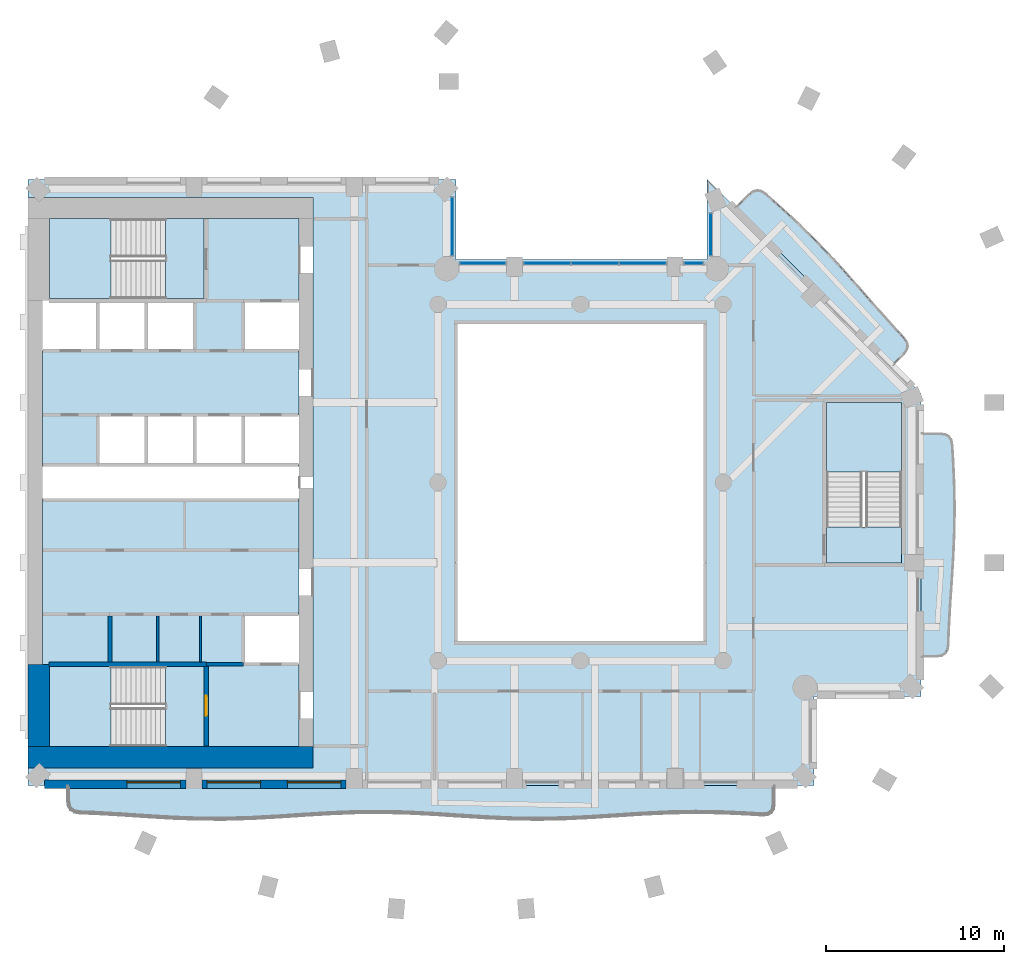
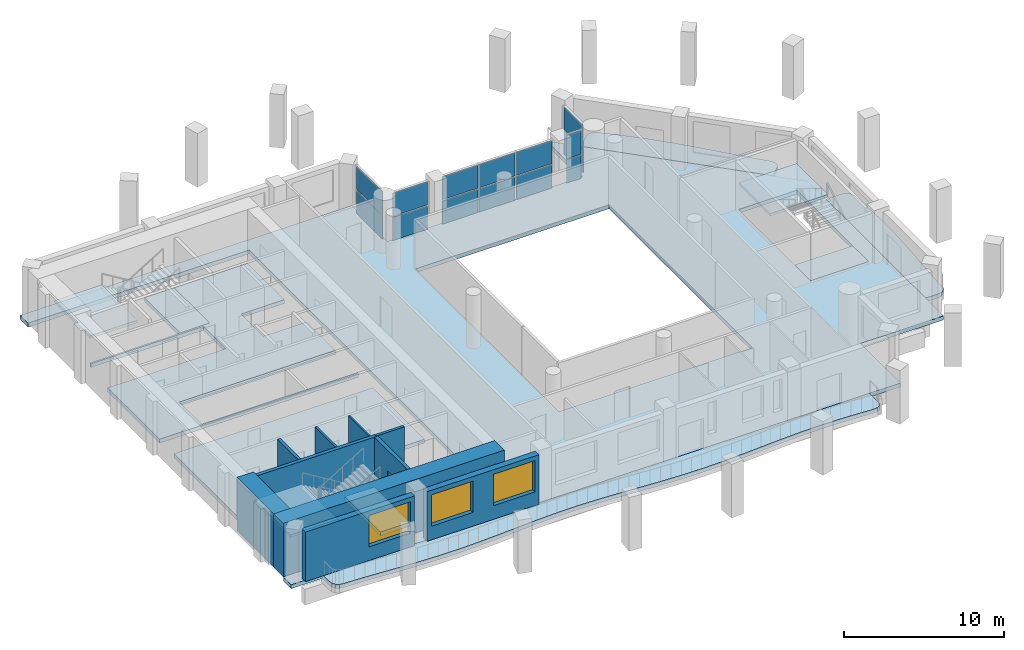
# One storey, part 3 of 13: 14 plates, 12 slabs, 10 walls, 3 windows, 1 door, 4 openings, 8 elements without a shape of their own.
"""IFC4 building model written with IfcOpenShell, lengths in metres."""

from ifc_helpers import new_model, si_unit, direction, frame, frame_2d, origin, origin_2d, place, context, subcontext, project, spatial, polyline, rectangle, outline, extrude, material, layer, layer_set, type_object, element, fill, aggregate, save


model = new_model("IFC4")

# Units and contexts
model_context = context("Model", 3, precision=1e-05, world=origin(), true_north=direction((0.0, 1.0)))
body_context = subcontext(model_context, "Body", "Model", "MODEL_VIEW")
ifc_project = project(units=[si_unit("LENGTHUNIT", "METRE"), si_unit("AREAUNIT", "SQUARE_METRE"), si_unit("VOLUMEUNIT", "CUBIC_METRE"), si_unit("PLANEANGLEUNIT", "RADIAN"), si_unit("MASSUNIT", "GRAM", prefix="KILO")], contexts=[model_context])

# Site, building, storey
site_placement = place(None, origin())
site = spatial("IfcSite", under=ifc_project, at=site_placement, CompositionType="ELEMENT")
building_placement = place(site_placement, origin())
building = spatial("IfcBuilding", under=site, at=building_placement, Name="Cypress Arch Tower", CompositionType="ELEMENT")
storey_placement = place(building_placement, frame((0.0, 0.0, 209.699951171875)))
storey = spatial("IfcBuildingStorey", under=building, at=storey_placement, Name="L46", CompositionType="ELEMENT", Elevation=209.699951171875)

# Slabs
ifc_material_1 = material(Name="Concrete C40/50", Category="concrete")
ifc_layer_1 = layer(ifc_material_1, 0.300048828125)
ifc_layer_set_1 = layer_set([ifc_layer_1], Name="Balcony slab BS300")
slab_type_1 = type_object("IfcSlabType", Name="Balcony slab BS300", PredefinedType="USERDEFINED", material=ifc_layer_set_1)
slab_1_placement = place(storey_placement, frame((0.0, 0.0, -0.300048828125)))
element("IfcSlab", 1, at=slab_1_placement, inside=storey, type_object=slab_type_1, Name="Balcony slab L46-B01", ObjectType="BALCONY SLAB", PredefinedType="USERDEFINED", context=body_context, shape_type="SweptSolid", body=[
    extrude(outline(polyline([(-27.75, -17.0), (-27.75, -17.84619140625), (-27.708740234375, -18.136474609375), (-27.5849609375, -18.346923828125), (-27.378662109375, -18.4775390625), (-27.090087890625, -18.5283203125), (-26.283447265625, -18.55517578125), (-24.816650390625, -18.63916015625), (-23.35009765625, -18.7373046875), (-21.88330078125, -18.823974609375), (-20.416748046875, -18.87744140625), (-18.949951171875, -18.8837890625), (-17.4833984375, -18.84130859375), (-16.0166015625, -18.760986328125), (-14.550048828125, -18.663330078125), (-13.083251953125, -18.573486328125), (-11.61669921875, -18.514404296875), (-10.14990234375, -18.50146484375), (-8.683349609375, -18.53759765625), (-7.216552734375, -18.61376953125), (-5.75, -18.71044921875), (-4.283447265625, -18.802734375), (-2.816650390625, -18.8671875), (-1.35009765625, -18.886962890625), (0.11669921875, -18.857177734375), (1.583251953125, -18.78564453125), (3.050048828125, -18.690185546875), (4.5166015625, -18.595947265625), (5.9833984375, -18.526611328125), (7.449951171875, -18.5), (8.916748046875, -18.523193359375), (10.38330078125, -18.590087890625), (11.18994140625, -18.641357421875), (11.478759765625, -18.618408203125), (11.68505859375, -18.507568359375), (11.808837890625, -18.308837890625), (11.85009765625, -18.022216796875), (11.85009765625, -17.0), (-27.75, -17.0)])), origin(), (0.0, 0.0, 1.0), 0.300048828125),
])
slab_2_placement = place(storey_placement, frame((0.0, 0.0, -0.300048828125)))
element("IfcSlab", 2, at=slab_2_placement, inside=storey, type_object=slab_type_1, Name="Balcony slab L46-B04", ObjectType="BALCONY SLAB", PredefinedType="USERDEFINED", context=body_context, shape_type="SweptSolid", body=[
    extrude(outline(polyline([(20.10009765625, -9.75), (20.981201171875, -9.75), (21.256103515625, -9.7109375), (21.455322265625, -9.59375), (21.578857421875, -9.3984375), (21.626708984375, -9.125), (21.651611328125, -8.361083984375), (21.729248046875, -6.97216796875), (21.82177734375, -5.583251953125), (21.90771484375, -4.1943359375), (21.967529296875, -2.8056640625), (21.987060546875, -1.416748046875), (21.962158203125, -0.02783203125), (21.8984375, 1.361083984375), (21.85009765625, 2.125), (21.793701171875, 2.3984375), (21.663818359375, 2.59375), (21.460693359375, 2.7109375), (21.184326171875, 2.75), (20.10009765625, 2.75), (20.10009765625, -9.75)])), origin(), (0.0, 0.0, 1.0), 0.300048828125),
])
slab_3_placement = place(storey_placement, frame((0.0, 0.0, -0.300048828125)))
element("IfcSlab", 3, at=slab_3_placement, inside=storey, type_object=slab_type_1, Name="Balcony slab L46-B05", ObjectType="BALCONY SLAB", PredefinedType="USERDEFINED", context=body_context, shape_type="SweptSolid", body=[
    extrude(outline(polyline([(18.509033203125, 6.591064453125), (19.13330078125, 7.215087890625), (19.299560546875, 7.4365234375), (19.357421875, 7.659912109375), (19.306884765625, 7.884765625), (19.147705078125, 8.111572265625), (18.626220703125, 8.667724609375), (17.701171875, 9.7021484375), (16.78662109375, 10.747314453125), (15.86767578125, 11.787841796875), (14.93017578125, 12.81005859375), (13.96484375, 13.80419921875), (12.9677734375, 14.766845703125), (11.943603515625, 15.701904296875), (11.37060546875, 16.206787109375), (11.137939453125, 16.35986328125), (10.90869140625, 16.40625), (10.6826171875, 16.345703125), (10.460205078125, 16.17822265625), (9.69091796875, 15.408935546875), (18.509033203125, 6.591064453125)])), origin(), (0.0, 0.0, 1.0), 0.300048828125),
])
ifc_material_2 = material(Name="Concrete C40/50", Category="concrete")
ifc_layer_2 = layer(ifc_material_2, 0.300048828125)
ifc_layer_set_2 = layer_set([ifc_layer_2], Name="Core floor CF300")
slab_type_2 = type_object("IfcSlabType", Name="Core floor CF300", PredefinedType="FLOOR", material=ifc_layer_set_2)
slab_4_placement = place(storey_placement, frame((0.0, 0.0, -0.300048828125)))
element("IfcSlab", 4, at=slab_4_placement, inside=storey, type_object=slab_type_2, Name="Core floor", PredefinedType="FLOOR", context=body_context, shape_type="SweptSolid", body=[
    extrude(outline(polyline([(-28.800048828125, -10.199951171875), (-29.199951171875, -10.199951171875), (-29.199951171875, -0.89990234375), (-15.199951171875, -0.89990234375), (-14.800048828125, -0.89990234375), (-14.800048828125, -7.39990234375), (-15.199951171875, -7.39990234375), (-17.919921875, -7.39990234375), (-17.919921875, -10.199951171875), (-15.199951171875, -10.199951171875), (-14.800048828125, -10.199951171875), (-14.800048828125, -14.800048828125), (-15.199951171875, -14.800048828125), (-20.125, -14.800048828125), (-20.125, -10.324951171875), (-22.27490234375, -10.324951171875), (-28.800048828125, -10.324951171875), (-28.800048828125, -10.199951171875)])), origin(), (0.0, 0.0, 1.0), 0.300048828125),
])
slab_5_placement = place(storey_placement, frame((0.0, 0.0, -0.300048828125)))
element("IfcSlab", 5, at=slab_5_placement, inside=storey, type_object=slab_type_2, Name="Core floor", PredefinedType="FLOOR", context=body_context, shape_type="SweptSolid", body=[
    extrude(outline(polyline([(-22.27490234375, -10.324951171875), (-22.27490234375, -14.800048828125), (-20.125, -14.800048828125), (-20.125, -10.324951171875), (-22.27490234375, -10.324951171875)])), origin(), (0.0, 0.0, 1.0), 0.300048828125),
])
slab_6_placement = place(storey_placement, frame((0.0, 0.0, -0.300048828125)))
element("IfcSlab", 6, at=slab_6_placement, inside=storey, type_object=slab_type_2, Name="Core floor", PredefinedType="FLOOR", context=body_context, shape_type="SweptSolid", body=[
    extrude(outline(polyline([(-20.125, 14.800048828125), (-22.27490234375, 14.800048828125), (-22.27490234375, 10.324951171875), (-20.125, 10.324951171875), (-20.125, 14.800048828125)])), origin(), (0.0, 0.0, 1.0), 0.300048828125),
])
slab_7_placement = place(storey_placement, frame((0.0, 0.0, -0.300048828125)))
element("IfcSlab", 7, at=slab_7_placement, inside=storey, type_object=slab_type_2, Name="Stair floor landing", PredefinedType="FLOOR", context=body_context, shape_type="SweptSolid", body=[
    extrude(outline(polyline([(19.0, -4.5), (19.0, -2.5), (14.800048828125, -2.5), (14.800048828125, -4.5), (19.0, -4.5)])), origin(), (0.0, 0.0, 1.0), 0.300048828125),
])
slab_8_placement = place(storey_placement, frame((0.0, 0.0, -0.300048828125)))
element("IfcSlab", 8, at=slab_8_placement, inside=storey, type_object=slab_type_2, Name="Core floor", PredefinedType="FLOOR", context=body_context, shape_type="SweptSolid", body=[
    extrude(outline(polyline([(-20.639892578125, 7.39990234375), (-20.639892578125, 10.199951171875), (-23.360107421875, 10.199951171875), (-26.080078125, 10.199951171875), (-28.800048828125, 10.199951171875), (-28.800048828125, 10.324951171875), (-22.27490234375, 10.324951171875), (-20.125, 10.324951171875), (-20.125, 14.800048828125), (-15.199951171875, 14.800048828125), (-14.800048828125, 14.800048828125), (-14.800048828125, 10.199951171875), (-15.199951171875, 10.199951171875), (-17.919921875, 10.199951171875), (-17.919921875, 7.39990234375), (-15.199951171875, 7.39990234375), (-14.800048828125, 7.39990234375), (-14.800048828125, 3.800048828125), (-15.199951171875, 3.800048828125), (-17.919921875, 3.800048828125), (-20.639892578125, 3.800048828125), (-23.360107421875, 3.800048828125), (-26.080078125, 3.800048828125), (-26.080078125, 1.5), (-26.080078125, 1.5), (-26.080078125, 1.0), (-25.679931640625, 1.0), (-23.360107421875, 1.0), (-20.639892578125, 1.0), (-17.919921875, 1.0), (-15.199951171875, 1.0), (-14.800048828125, 1.0), (-14.800048828125, 0.89990234375), (-15.199951171875, 0.89990234375), (-25.679931640625, 0.89990234375), (-26.47998046875, 0.89990234375), (-29.199951171875, 0.89990234375), (-29.199951171875, 1.5), (-29.199951171875, 7.39990234375), (-26.080078125, 7.39990234375), (-23.360107421875, 7.39990234375), (-20.639892578125, 7.39990234375)])), origin(), (0.0, 0.0, 1.0), 0.300048828125),
])

# Curtain wall, plates
ifc_material_3 = material(Name="Anodised aluminium, bronze finish, clear laminated double glazing", Category="aluminium")
curtain_wall_type = type_object("IfcCurtainWallType", Name="Curtain wall CW7 slot glazing", PredefinedType="NOTDEFINED", material=ifc_material_3)
curtain_wall_1_placement = place(storey_placement, origin())
curtain_wall_1 = element("IfcCurtainWall", 9, at=curtain_wall_1_placement, inside=storey, type_object=curtain_wall_type, Name="Curtain wall L46 slot B06.0", PredefinedType="NOTDEFINED")
ifc_material_4 = material(Name="Clear laminated double glazing", Category="glass")
ifc_layer_3 = layer(ifc_material_4, 0.0439453125)
ifc_layer_set_3 = layer_set([ifc_layer_3], Name="Glass panel CW7 44")
plate_type = type_object("IfcPlateType", Name="Glass panel CW7 44", PredefinedType="CURTAIN_PANEL", material=ifc_layer_set_3)
plate_1_placement = place(storey_placement, frame((8.300048828125, 13.912353515625, 0.0849609375), z_axis=(0.0, 0.0, 1.0), x_axis=(0.0, -1.0, 0.0)))
plate_1 = element("IfcPlate", 10, at=plate_1_placement, type_object=plate_type, Name="CW7 panel 1.1", PredefinedType="CURTAIN_PANEL", context=body_context, shape_type="SweptSolid", body=[
    extrude(rectangle(XDim=2.345458984375, YDim=0.0439453125, at=origin_2d()), origin(), (0.0, 0.0, 1.0), 1.7724609375),
])
plate_2_placement = place(storey_placement, frame((8.300048828125, 13.912353515625, 1.942626953125), z_axis=(0.0, 0.0, 1.0), x_axis=(0.0, -1.0, 0.0)))
plate_2 = element("IfcPlate", 11, at=plate_2_placement, type_object=plate_type, Name="CW7 panel 1.2", PredefinedType="CURTAIN_PANEL", context=body_context, shape_type="SweptSolid", body=[
    extrude(rectangle(XDim=2.345458984375, YDim=0.0439453125, at=origin_2d()), origin(), (0.0, 0.0, 1.0), 1.7724609375),
])
aggregate(curtain_wall_1, [plate_1, plate_2])

curtain_wall_2_placement = place(storey_placement, origin())
curtain_wall_2 = element("IfcCurtainWall", 12, at=curtain_wall_2_placement, inside=storey, type_object=curtain_wall_type, Name="Curtain wall L46 slot B07.0", PredefinedType="NOTDEFINED")
plate_3_placement = place(storey_placement, frame((7.34765625, 12.300048828125, 0.0849609375), z_axis=(0.0, 0.0, 1.0), x_axis=(-1.0, 0.0, 0.0)))
plate_3 = element("IfcPlate", 13, at=plate_3_placement, type_object=plate_type, Name="CW7 panel 1.1", PredefinedType="CURTAIN_PANEL", context=body_context, shape_type="SweptSolid", body=[
    extrude(rectangle(XDim=1.025390625, YDim=0.0439453125, at=origin_2d()), origin(), (0.0, 0.0, 1.0), 1.7724609375),
])
plate_4_placement = place(storey_placement, frame((7.34765625, 12.300048828125, 1.942626953125), z_axis=(0.0, 0.0, 1.0), x_axis=(-1.0, 0.0, 0.0)))
plate_4 = element("IfcPlate", 14, at=plate_4_placement, type_object=plate_type, Name="CW7 panel 1.2", PredefinedType="CURTAIN_PANEL", context=body_context, shape_type="SweptSolid", body=[
    extrude(rectangle(XDim=1.025390625, YDim=0.0439453125, at=origin_2d()), origin(), (0.0, 0.0, 1.0), 1.7724609375),
])
aggregate(curtain_wall_2, [plate_3, plate_4])

curtain_wall_3_placement = place(storey_placement, origin())
curtain_wall_3 = element("IfcCurtainWall", 15, at=curtain_wall_3_placement, inside=storey, type_object=curtain_wall_type, Name="Curtain wall L46 slot B07.1", PredefinedType="NOTDEFINED")
plate_5_placement = place(storey_placement, frame((4.478759765625, 12.300048828125, 0.0849609375), z_axis=(0.0, 0.0, 1.0), x_axis=(-1.0, 0.0, 0.0)))
plate_5 = element("IfcPlate", 16, at=plate_5_placement, type_object=plate_type, Name="CW7 panel 1.1", PredefinedType="CURTAIN_PANEL", context=body_context, shape_type="SweptSolid", body=[
    extrude(rectangle(XDim=2.572509765625, YDim=0.0439453125, at=origin_2d()), origin(), (0.0, 0.0, 1.0), 1.7724609375),
])
plate_6_placement = place(storey_placement, frame((4.478759765625, 12.300048828125, 1.942626953125), z_axis=(0.0, 0.0, 1.0), x_axis=(-1.0, 0.0, 0.0)))
plate_6 = element("IfcPlate", 17, at=plate_6_placement, type_object=plate_type, Name="CW7 panel 1.2", PredefinedType="CURTAIN_PANEL", context=body_context, shape_type="SweptSolid", body=[
    extrude(rectangle(XDim=2.572509765625, YDim=0.0439453125, at=origin_2d()), origin(), (0.0, 0.0, 1.0), 1.7724609375),
])
plate_7_placement = place(storey_placement, frame((1.800048828125, 12.300048828125, 0.0849609375), z_axis=(0.0, 0.0, 1.0), x_axis=(-1.0, 0.0, 0.0)))
plate_7 = element("IfcPlate", 18, at=plate_7_placement, type_object=plate_type, Name="CW7 panel 2.1", PredefinedType="CURTAIN_PANEL", context=body_context, shape_type="SweptSolid", body=[
    extrude(rectangle(XDim=2.614990234375, YDim=0.0439453125, at=origin_2d()), origin(), (0.0, 0.0, 1.0), 1.7724609375),
])
plate_8_placement = place(storey_placement, frame((1.800048828125, 12.300048828125, 1.942626953125), z_axis=(0.0, 0.0, 1.0), x_axis=(-1.0, 0.0, 0.0)))
plate_8 = element("IfcPlate", 19, at=plate_8_placement, type_object=plate_type, Name="CW7 panel 2.2", PredefinedType="CURTAIN_PANEL", context=body_context, shape_type="SweptSolid", body=[
    extrude(rectangle(XDim=2.614990234375, YDim=0.0439453125, at=origin_2d()), origin(), (0.0, 0.0, 1.0), 1.7724609375),
])
plate_9_placement = place(storey_placement, frame((-0.878662109375, 12.300048828125, 0.0849609375), z_axis=(0.0, 0.0, 1.0), x_axis=(-1.0, 0.0, 0.0)))
plate_9 = element("IfcPlate", 20, at=plate_9_placement, type_object=plate_type, Name="CW7 panel 3.1", PredefinedType="CURTAIN_PANEL", context=body_context, shape_type="SweptSolid", body=[
    extrude(rectangle(XDim=2.572509765625, YDim=0.0439453125, at=origin_2d()), origin(), (0.0, 0.0, 1.0), 1.7724609375),
])
plate_10_placement = place(storey_placement, frame((-0.878662109375, 12.300048828125, 1.942626953125), z_axis=(0.0, 0.0, 1.0), x_axis=(-1.0, 0.0, 0.0)))
plate_10 = element("IfcPlate", 21, at=plate_10_placement, type_object=plate_type, Name="CW7 panel 3.2", PredefinedType="CURTAIN_PANEL", context=body_context, shape_type="SweptSolid", body=[
    extrude(rectangle(XDim=2.572509765625, YDim=0.0439453125, at=origin_2d()), origin(), (0.0, 0.0, 1.0), 1.7724609375),
])
aggregate(curtain_wall_3, [plate_5, plate_6, plate_7, plate_8, plate_9, plate_10])

curtain_wall_4_placement = place(storey_placement, origin())
curtain_wall_4 = element("IfcCurtainWall", 22, at=curtain_wall_4_placement, inside=storey, type_object=curtain_wall_type, Name="Curtain wall L46 slot B07.2", PredefinedType="NOTDEFINED")
plate_11_placement = place(storey_placement, frame((-4.497802734375, 12.300048828125, 0.0849609375), z_axis=(0.0, 0.0, 1.0), x_axis=(-1.0, 0.0, 0.0)))
plate_11 = element("IfcPlate", 23, at=plate_11_placement, type_object=plate_type, Name="CW7 panel 1.1", PredefinedType="CURTAIN_PANEL", context=body_context, shape_type="SweptSolid", body=[
    extrude(rectangle(XDim=2.525390625, YDim=0.0439453125, at=origin_2d()), origin(), (0.0, 0.0, 1.0), 1.7724609375),
])
plate_12_placement = place(storey_placement, frame((-4.497802734375, 12.300048828125, 1.942626953125), z_axis=(0.0, 0.0, 1.0), x_axis=(-1.0, 0.0, 0.0)))
plate_12 = element("IfcPlate", 24, at=plate_12_placement, type_object=plate_type, Name="CW7 panel 1.2", PredefinedType="CURTAIN_PANEL", context=body_context, shape_type="SweptSolid", body=[
    extrude(rectangle(XDim=2.525390625, YDim=0.0439453125, at=origin_2d()), origin(), (0.0, 0.0, 1.0), 1.7724609375),
])
aggregate(curtain_wall_4, [plate_11, plate_12])

curtain_wall_5_placement = place(storey_placement, origin())
curtain_wall_5 = element("IfcCurtainWall", 25, at=curtain_wall_5_placement, inside=storey, type_object=curtain_wall_type, Name="Curtain wall L46 slot B08.0", PredefinedType="NOTDEFINED")
plate_13_placement = place(storey_placement, frame((-6.199951171875, 14.359130859375, 0.0849609375), z_axis=(0.0, 0.0, 1.0), x_axis=(0.0, 1.0, 0.0)))
plate_13 = element("IfcPlate", 26, at=plate_13_placement, type_object=plate_type, Name="CW7 panel 1.1", PredefinedType="CURTAIN_PANEL", context=body_context, shape_type="SweptSolid", body=[
    extrude(rectangle(XDim=3.239013671875, YDim=0.0439453125, at=origin_2d()), origin(), (0.0, 0.0, 1.0), 1.7724609375),
])
plate_14_placement = place(storey_placement, frame((-6.199951171875, 14.359130859375, 1.942626953125), z_axis=(0.0, 0.0, 1.0), x_axis=(0.0, 1.0, 0.0)))
plate_14 = element("IfcPlate", 27, at=plate_14_placement, type_object=plate_type, Name="CW7 panel 1.2", PredefinedType="CURTAIN_PANEL", context=body_context, shape_type="SweptSolid", body=[
    extrude(rectangle(XDim=3.239013671875, YDim=0.0439453125, at=origin_2d()), origin(), (0.0, 0.0, 1.0), 1.7724609375),
])
aggregate(curtain_wall_5, [plate_13, plate_14])

# Slab
ifc_material_5 = material(Name="Concrete C40/50", Category="concrete")
ifc_layer_4 = layer(ifc_material_5, 0.300048828125)
ifc_layer_set_4 = layer_set([ifc_layer_4], Name="PT flat slab 300 Concrete C40/50")
slab_type_3 = type_object("IfcSlabType", Name="PT flat slab 300 Concrete C40/50", PredefinedType="FLOOR", material=ifc_layer_set_4)
slab_9_placement = place(storey_placement, frame((0.0, 0.0, -0.300048828125)))
element("IfcSlab", 28, at=slab_9_placement, inside=storey, type_object=slab_type_3, Name="Floor slab L46", PredefinedType="FLOOR", context=body_context, shape_type="SweptSolid", body=[
    extrude(outline(polyline([(-30.0, 17.0), (-6.0, 17.0), (-6.0, 12.5), (8.10009765625, 12.5), (8.10009765625, 17.0), (20.10009765625, 5.0), (20.10009765625, -12.0), (14.10009765625, -12.0), (14.10009765625, -17.0), (-30.0, -17.0), (-30.0, -16.0), (-14.0, -16.0), (-14.0, 16.0), (-30.0, 16.0), (-30.0, 17.0)]), holes=[polyline([(-6.0, -9.0), (8.0, -9.0), (8.0, 9.0), (-6.0, 9.0), (-6.0, -9.0)]), polyline([(14.800048828125, -4.5), (19.0, -4.5), (19.0, 4.5), (14.800048828125, 4.5), (14.800048828125, -4.5)])]), origin(), (0.0, 0.0, 1.0), 0.300048828125),
])

# Stair, slab
ifc_material_6 = material(Name="Concrete C40/50", Category="concrete")
stair_type_1 = type_object("IfcStairType", Name="Exit stair ES1708-215", PredefinedType="HALF_TURN_STAIR", material=ifc_material_6)
stair_1_placement = place(storey_placement, origin())
stair_1 = element("IfcStair", 29, at=stair_1_placement, inside=storey, type_object=stair_type_1, Name="L46 Exit stair A", PredefinedType="HALF_TURN_STAIR")
ifc_material_7 = material(Name="Concrete C40/50", Category="concrete")
ifc_layer_5 = layer(ifc_material_7, 0.199951171875)
ifc_layer_set_5 = layer_set([ifc_layer_5], Name="Stair landing SL200")
slab_type_4 = type_object("IfcSlabType", Name="Stair landing SL200", PredefinedType="LANDING", material=ifc_layer_set_5)
slab_10_placement = place(storey_placement, frame((0.0, 0.0, 1.85009765625)))
slab_10 = element("IfcSlab", 30, at=slab_10_placement, type_object=slab_type_4, Name="A landing 1", PredefinedType="LANDING", context=body_context, shape_type="SweptSolid", body=[
    extrude(outline(polyline([(-25.35498046875, -10.324951171875), (-28.800048828125, -10.324951171875), (-28.800048828125, -14.800048828125), (-25.35498046875, -14.800048828125), (-25.35498046875, -10.324951171875)])), origin(), (0.0, 0.0, 1.0), 0.199951171875),
])
aggregate(stair_1, [slab_10])

stair_2_placement = place(storey_placement, origin())
stair_2 = element("IfcStair", 31, at=stair_2_placement, inside=storey, type_object=stair_type_1, Name="L46 Exit stair B", PredefinedType="HALF_TURN_STAIR")
slab_11_placement = place(storey_placement, frame((0.0, 0.0, 1.85009765625)))
slab_11 = element("IfcSlab", 32, at=slab_11_placement, type_object=slab_type_4, Name="B landing 1", PredefinedType="LANDING", context=body_context, shape_type="SweptSolid", body=[
    extrude(outline(polyline([(-25.35498046875, 14.800048828125), (-28.800048828125, 14.800048828125), (-28.800048828125, 10.324951171875), (-25.35498046875, 10.324951171875), (-25.35498046875, 14.800048828125)])), origin(), (0.0, 0.0, 1.0), 0.199951171875),
])
aggregate(stair_2, [slab_11])

ifc_material_8 = material(Name="Concrete C40/50", Category="concrete")
stair_type_2 = type_object("IfcStairType", Name="Exit stair ES1708-200", PredefinedType="HALF_TURN_STAIR", material=ifc_material_8)
stair_3_placement = place(storey_placement, origin())
stair_3 = element("IfcStair", 33, at=stair_3_placement, inside=storey, type_object=stair_type_2, Name="L46 Exit stair C", PredefinedType="HALF_TURN_STAIR")
slab_12_placement = place(storey_placement, frame((0.0, 0.0, 1.85009765625)))
slab_12 = element("IfcSlab", 34, at=slab_12_placement, type_object=slab_type_4, Name="C landing 1", PredefinedType="LANDING", context=body_context, shape_type="SweptSolid", body=[
    extrude(outline(polyline([(19.0, 0.580078125), (19.0, 4.5), (14.800048828125, 4.5), (14.800048828125, 0.580078125), (19.0, 0.580078125)])), origin(), (0.0, 0.0, 1.0), 0.199951171875),
])
aggregate(stair_3, [slab_12])

# Wall, opening, window
ifc_material_9 = material(Name="Brick (red buff blend)", Category="masonry")
ifc_layer_6 = layer(ifc_material_9, 0.449951171875)
ifc_layer_set_6 = layer_set([ifc_layer_6], Name="Brick pier and spandrel wall BW450")
wall_type_1 = type_object("IfcWallType", Name="Brick pier and spandrel wall BW450", PredefinedType="SOLIDWALL", material=ifc_layer_set_6)
wall_1_placement = place(storey_placement, frame((-29.063720703125, -16.925048828125, 0.0), z_axis=(0.0, 0.0, 1.0), x_axis=(1.0, 0.0, 0.0)))
wall_1 = element("IfcWall", 35, at=wall_1_placement, inside=storey, type_object=wall_type_1, Name="Brick wall L46 B01.0", PredefinedType="SOLIDWALL", context=body_context, shape_type="SweptSolid", body=[
    extrude(rectangle(XDim=7.913818359375, YDim=0.449951171875, at=frame_2d((3.95703125, 0.0))), origin(), (0.0, 0.0, 1.0), 3.800048828125),
])
opening_1_placement = place(wall_1_placement, frame((4.613525390625, 0.0, 1.050048828125)))
opening_1 = element("IfcOpeningElement", 36, at=opening_1_placement, cuts=wall_1, Name="Opening W300OD", PredefinedType="OPENING", context=body_context, shape_type="SweptSolid", body=[
    extrude(rectangle(XDim=3.0, YDim=2.39990234375, at=frame_2d((1.5, 1.199951171875))), frame((0.0, 0.23486328125, 0.0), z_axis=(0.0, -1.0, 0.0), x_axis=(1.0, 0.0, 0.0)), (0.0, 0.0, 1.0), 0.469970703125),
])
ifc_material_10 = material(Name="Anodised aluminium, bronze finish, laminated low-emissivity double glazing, large-missile impact rated", Category="aluminium")
window_type = type_object("IfcWindowType", Name="Window Office 3000x2400 debris-rated", PartitioningType="SINGLE_PANEL", PredefinedType="WINDOW", material=ifc_material_10)
window_1_placement = place(opening_1_placement, origin())
window_1 = element("IfcWindow", 37, at=window_1_placement, inside=storey, type_object=window_type, Name="Window L46 B01.0.2", OverallHeight=2.39990234375, OverallWidth=3.0, PartitioningType="SINGLE_PANEL", PredefinedType="WINDOW", context=body_context, shape_type="SweptSolid", body=[
    extrude(rectangle(XDim=3.0, YDim=2.39990234375, at=frame_2d((1.5, 1.199951171875))), frame((0.0, 0.135009765625, 0.0), z_axis=(0.0, -1.0, 0.0), x_axis=(1.0, 0.0, 0.0)), (0.0, 0.0, 1.0), 0.06005859375),
])
fill(opening_1, window_1)

# Wall, openings, windows
wall_2_placement = place(storey_placement, frame((-20.25, -16.925048828125, 0.0), z_axis=(0.0, 0.0, 1.0), x_axis=(1.0, 0.0, 0.0)))
wall_2 = element("IfcWall", 38, at=wall_2_placement, inside=storey, type_object=wall_type_1, Name="Brick wall L46 B01.1", PredefinedType="SOLIDWALL", context=body_context, shape_type="SweptSolid", body=[
    extrude(rectangle(XDim=8.10009765625, YDim=0.449951171875, at=frame_2d((4.050048828125, 0.0))), origin(), (0.0, 0.0, 1.0), 3.800048828125),
])
opening_2_placement = place(wall_2_placement, frame((0.300048828125, 0.0, 1.050048828125)))
opening_2 = element("IfcOpeningElement", 39, at=opening_2_placement, cuts=wall_2, Name="Opening W300OD", PredefinedType="OPENING", context=body_context, shape_type="SweptSolid", body=[
    extrude(rectangle(XDim=3.0, YDim=2.39990234375, at=frame_2d((1.5, 1.199951171875))), frame((0.0, 0.23486328125, 0.0), z_axis=(0.0, -1.0, 0.0), x_axis=(1.0, 0.0, 0.0)), (0.0, 0.0, 1.0), 0.469970703125),
])
opening_3_placement = place(wall_2_placement, frame((4.800048828125, 0.0, 1.050048828125)))
opening_3 = element("IfcOpeningElement", 40, at=opening_3_placement, cuts=wall_2, Name="Opening W300OD", PredefinedType="OPENING", context=body_context, shape_type="SweptSolid", body=[
    extrude(rectangle(XDim=3.0, YDim=2.39990234375, at=frame_2d((1.5, 1.199951171875))), frame((0.0, 0.23486328125, 0.0), z_axis=(0.0, -1.0, 0.0), x_axis=(1.0, 0.0, 0.0)), (0.0, 0.0, 1.0), 0.469970703125),
])
window_2_placement = place(opening_2_placement, origin())
window_2 = element("IfcWindow", 41, at=window_2_placement, inside=storey, type_object=window_type, Name="Window L46 B01.1.1", OverallHeight=2.39990234375, OverallWidth=3.0, PartitioningType="SINGLE_PANEL", PredefinedType="WINDOW", context=body_context, shape_type="SweptSolid", body=[
    extrude(rectangle(XDim=3.0, YDim=2.39990234375, at=frame_2d((1.5, 1.199951171875))), frame((0.0, 0.135009765625, 0.0), z_axis=(0.0, -1.0, 0.0), x_axis=(1.0, 0.0, 0.0)), (0.0, 0.0, 1.0), 0.06005859375),
])
fill(opening_2, window_2)
window_3_placement = place(opening_3_placement, origin())
window_3 = element("IfcWindow", 42, at=window_3_placement, inside=storey, type_object=window_type, Name="Window L46 B01.1.2", OverallHeight=2.39990234375, OverallWidth=3.0, PartitioningType="SINGLE_PANEL", PredefinedType="WINDOW", context=body_context, shape_type="SweptSolid", body=[
    extrude(rectangle(XDim=3.0, YDim=2.39990234375, at=frame_2d((1.5, 1.199951171875))), frame((0.0, 0.135009765625, 0.0), z_axis=(0.0, -1.0, 0.0), x_axis=(1.0, 0.0, 0.0)), (0.0, 0.0, 1.0), 0.06005859375),
])
fill(opening_3, window_3)

# Walls
ifc_material_11 = material(Name="Concrete C70/85", Category="concrete")
ifc_layer_7 = layer(ifc_material_11, 1.199951171875)
ifc_layer_set_7 = layer_set([ifc_layer_7], Name="Core wall CW1200 C70/85")
wall_type_2 = type_object("IfcWallType", Name="Core wall CW1200 C70/85", PredefinedType="SHEAR", material=ifc_layer_set_7)
wall_3_placement = place(storey_placement, frame((-30.0, -15.39990234375, 0.0), z_axis=(0.0, 0.0, 1.0), x_axis=(1.0, 0.0, 0.0)))
element("IfcWall", 43, at=wall_3_placement, inside=storey, type_object=wall_type_2, Name="Core wall", PredefinedType="SHEAR", context=body_context, shape_type="SweptSolid", body=[
    extrude(rectangle(XDim=16.0, YDim=1.199951171875, at=frame_2d((8.0, 0.0))), origin(), (0.0, 0.0, 1.0), 4.10009765625),
])
wall_4_placement = place(storey_placement, frame((-29.39990234375, -14.800048828125, 0.0), z_axis=(0.0, 0.0, 1.0), x_axis=(0.0, 1.0, 0.0)))
element("IfcWall", 44, at=wall_4_placement, inside=storey, type_object=wall_type_2, Name="Core wall", PredefinedType="SHEAR", context=body_context, shape_type="SweptSolid", body=[
    extrude(rectangle(XDim=4.60009765625, YDim=1.199951171875, at=frame_2d((2.300048828125, 0.0))), origin(), (0.0, 0.0, 1.0), 4.10009765625),
])
ifc_material_12 = material(Name="Concrete blockwork, plastered, rated", Category="masonry")
ifc_layer_8 = layer(ifc_material_12, 0.199951171875)
ifc_layer_set_8 = layer_set([ifc_layer_8], Name="Corridor wall FW200")
wall_type_3 = type_object("IfcWallType", Name="Corridor wall FW200", PredefinedType="PARTITIONING", material=ifc_layer_set_8)
wall_5_placement = place(storey_placement, frame((-20.0, -10.199951171875, 0.0), z_axis=(0.0, 0.0, 1.0), x_axis=(1.0, 0.0, 0.0)))
element("IfcWall", 45, at=wall_5_placement, inside=storey, type_object=wall_type_3, Name="Corridor wall", PredefinedType="PARTITIONING", context=body_context, shape_type="SweptSolid", body=[
    extrude(rectangle(XDim=2.080078125, YDim=0.199951171875, at=frame_2d((1.0400390625, 0.0))), origin(), (0.0, 0.0, 1.0), 3.800048828125),
])
ifc_material_13 = material(Name="Blockwork, plastered both sides", Category="masonry")
ifc_layer_9 = layer(ifc_material_13, 0.14990234375)
ifc_layer_set_9 = layer_set([ifc_layer_9], Name="Partition PW150")
wall_type_4 = type_object("IfcWallType", Name="Partition PW150", PredefinedType="PARTITIONING", material=ifc_layer_set_9)
wall_6_placement = place(storey_placement, frame((-22.719970703125, -10.074951171875, 0.0), z_axis=(0.0, 0.0, 1.0), x_axis=(0.0, 1.0, 0.0)))
element("IfcWall", 46, at=wall_6_placement, inside=storey, type_object=wall_type_4, Name="Partition", PredefinedType="PARTITIONING", context=body_context, shape_type="SweptSolid", body=[
    extrude(rectangle(XDim=2.574951171875, YDim=0.14990234375, at=frame_2d((1.28759765625, 0.0))), origin(), (0.0, 0.0, 1.0), 3.800048828125),
])
ifc_material_14 = material(Name="Reinforced blockwork, plastered, rated", Category="masonry")
ifc_layer_10 = layer(ifc_material_14, 0.199951171875)
ifc_layer_set_10 = layer_set([ifc_layer_10], Name="Plant and riser wall PL200")
wall_type_5 = type_object("IfcWallType", Name="Plant and riser wall PL200", PredefinedType="PARTITIONING", material=ifc_layer_set_10)
wall_7_placement = place(storey_placement, frame((-25.39990234375, -10.074951171875, 0.0), z_axis=(0.0, 0.0, 1.0), x_axis=(0.0, 1.0, 0.0)))
element("IfcWall", 47, at=wall_7_placement, inside=storey, type_object=wall_type_5, Name="Plant and riser wall", PredefinedType="PARTITIONING", context=body_context, shape_type="SweptSolid", body=[
    extrude(rectangle(XDim=2.574951171875, YDim=0.199951171875, at=frame_2d((1.28759765625, 0.0))), origin(), (0.0, 0.0, 1.0), 3.800048828125),
])
ifc_material_15 = material(Name="Concrete C50/60", Category="concrete")
ifc_layer_11 = layer(ifc_material_15, 0.25)
ifc_layer_set_11 = layer_set([ifc_layer_11], Name="Stair enclosure wall SW250")
wall_type_6 = type_object("IfcWallType", Name="Stair enclosure wall SW250", PredefinedType="SHEAR", material=ifc_layer_set_11)
wall_8_placement = place(storey_placement, frame((-28.81005859375, -10.199951171875, 0.0), z_axis=(0.0, 0.0, 1.0), x_axis=(1.0, 0.0, 0.0)))
element("IfcWall", 48, at=wall_8_placement, inside=storey, type_object=wall_type_6, Name="Stair enclosure wall", PredefinedType="SHEAR", context=body_context, shape_type="SweptSolid", body=[
    extrude(rectangle(XDim=8.81005859375, YDim=0.25, at=frame_2d((4.405029296875, 0.0))), origin(), (0.0, 0.0, 1.0), 3.800048828125),
])

# Wall, opening, door
wall_9_placement = place(storey_placement, frame((-20.0, -14.77001953125, 0.0), z_axis=(0.0, 0.0, 1.0), x_axis=(0.0, 1.0, 0.0)))
wall_9 = element("IfcWall", 49, at=wall_9_placement, inside=storey, type_object=wall_type_6, Name="Stair enclosure wall", PredefinedType="SHEAR", context=body_context, shape_type="SweptSolid", body=[
    extrude(rectangle(XDim=4.445068359375, YDim=0.25, at=frame_2d((2.22265625, 0.0))), origin(), (0.0, 0.0, 1.0), 3.800048828125),
])
opening_4_placement = place(wall_9_placement, frame((1.699951171875, 0.0, 0.0)))
opening_4 = element("IfcOpeningElement", 50, at=opening_4_placement, cuts=wall_9, Name="Opening D06", PredefinedType="OPENING", context=body_context, shape_type="SweptSolid", body=[
    extrude(rectangle(XDim=1.10009765625, YDim=2.199951171875, at=frame_2d((0.550048828125, 1.10009765625))), frame((0.0, 0.135009765625, 0.0), z_axis=(0.0, -1.0, 0.0), x_axis=(1.0, 0.0, 0.0)), (0.0, 0.0, 1.0), 0.27001953125),
])
ifc_material_16 = material(Name="Steel door, fire resisting, panic bar", Category="steel")
door_type = type_object("IfcDoorType", Name="Stair door D06 1100x2200", OperationType="SINGLE_SWING_LEFT", PredefinedType="DOOR", material=ifc_material_16)
door_placement = place(opening_4_placement, origin())
door = element("IfcDoor", 51, at=door_placement, inside=storey, type_object=door_type, Name="Stair door", OperationType="SINGLE_SWING_RIGHT", OverallHeight=2.199951171875, OverallWidth=1.10009765625, PredefinedType="DOOR", context=body_context, shape_type="SweptSolid", body=[
    extrude(rectangle(XDim=1.10009765625, YDim=2.199951171875, at=frame_2d((0.550048828125, 1.10009765625))), frame((0.0, 0.02490234375, 0.0), z_axis=(0.0, -1.0, 0.0), x_axis=(1.0, 0.0, 0.0)), (0.0, 0.0, 1.0), 0.050048828125),
])
fill(opening_4, door)

# Wall
ifc_material_17 = material(Name="Moisture resistant board on steel studs, tiled", Category="steel")
ifc_layer_12 = layer(ifc_material_17, 0.10009765625)
ifc_layer_set_12 = layer_set([ifc_layer_12], Name="Wet wall PW100")
wall_type_7 = type_object("IfcWallType", Name="Wet wall PW100", PredefinedType="PARTITIONING", material=ifc_layer_set_12)
wall_10_placement = place(storey_placement, frame((-20.320068359375, -10.074951171875, 0.0), z_axis=(0.0, 0.0, 1.0), x_axis=(0.0, 1.0, 0.0)))
element("IfcWall", 52, at=wall_10_placement, inside=storey, type_object=wall_type_7, Name="Wet wall", PredefinedType="PARTITIONING", context=body_context, shape_type="SweptSolid", body=[
    extrude(rectangle(XDim=2.574951171875, YDim=0.10009765625, at=frame_2d((1.28759765625, 0.0))), origin(), (0.0, 0.0, 1.0), 3.800048828125),
])

save(model, "model.ifc")
